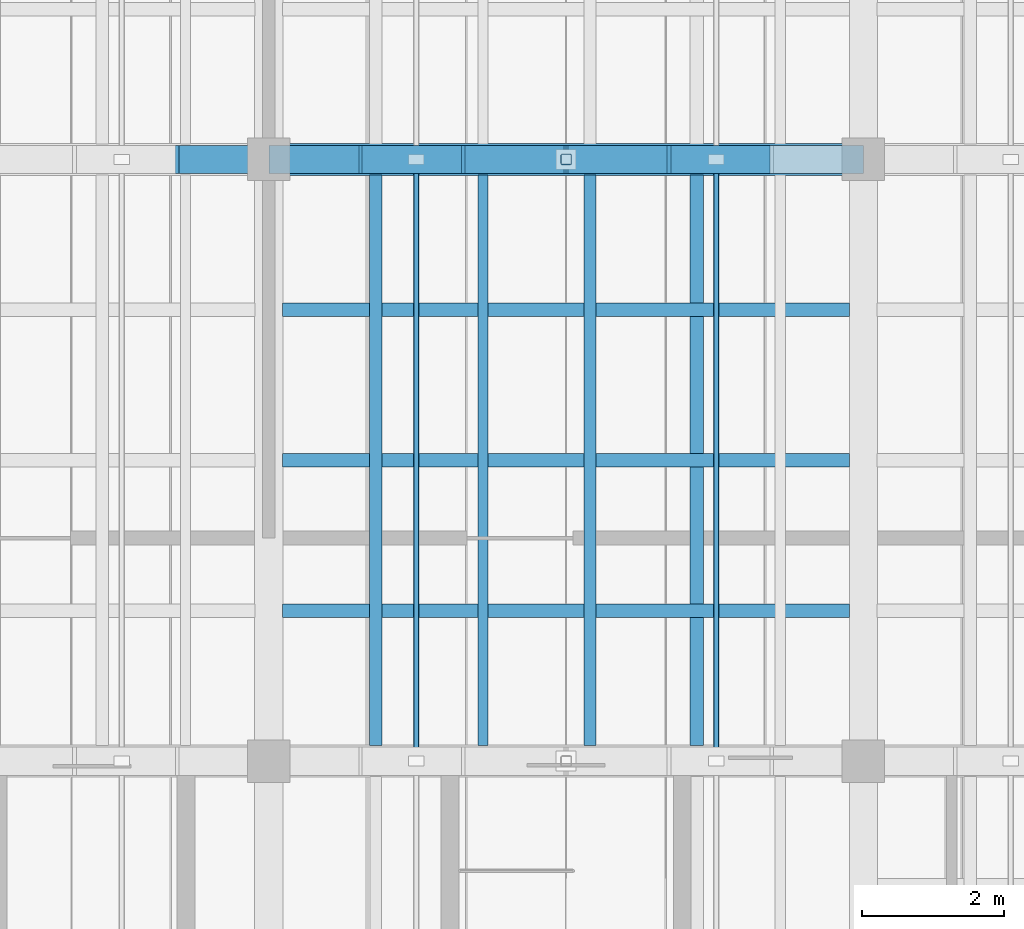
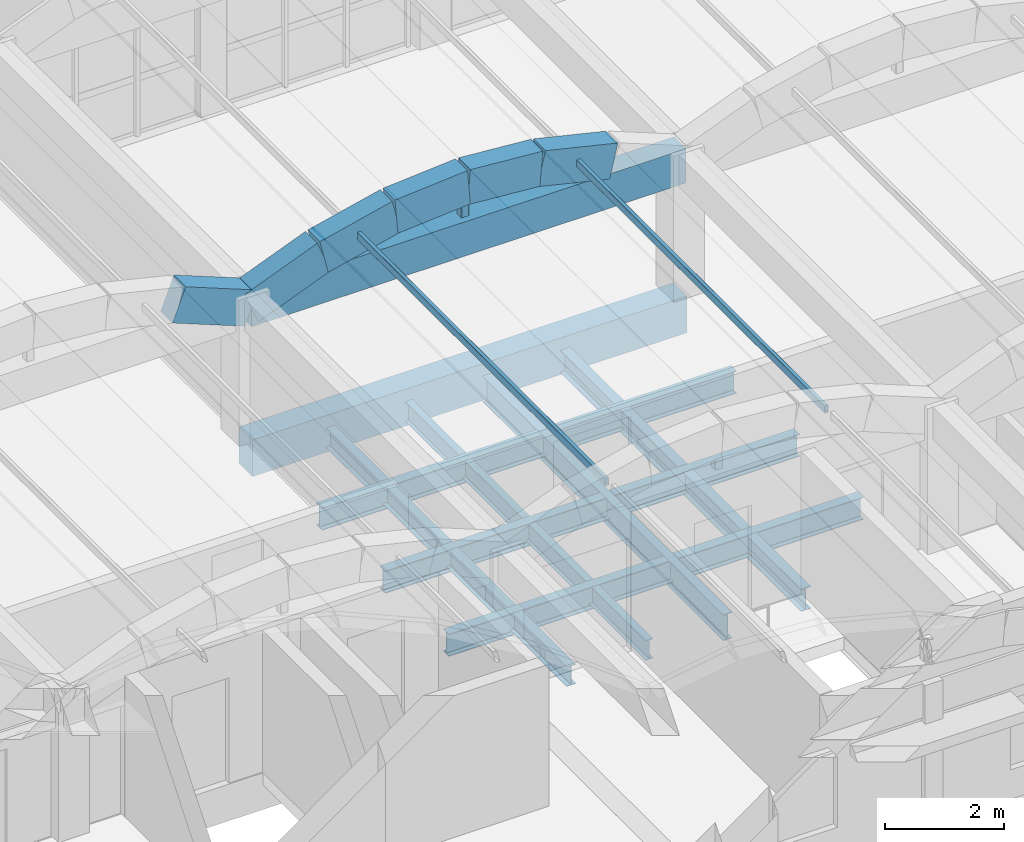
# One storey, part 10 of 40: 9 beams, 9 members.
"""IFC4 building model written with IfcOpenShell, lengths in metres."""

from ifc_helpers import new_model, si_unit, direction, frame, origin, origin_2d, place, context, subcontext, project, spatial, rectangle, hollow_rectangle, i_section, extrude, material, material_profile, profile_set, type_object, element, save


model = new_model("IFC4")

# Units and contexts
model_context = context("Model", 3, precision=1e-05, world=origin(), true_north=direction((0.0, 1.0)))
body_context = subcontext(model_context, "Body", "Model", "MODEL_VIEW")
ifc_project = project(units=[si_unit("LENGTHUNIT", "METRE"), si_unit("AREAUNIT", "SQUARE_METRE"), si_unit("VOLUMEUNIT", "CUBIC_METRE"), si_unit("PLANEANGLEUNIT", "RADIAN"), si_unit("MASSUNIT", "GRAM", prefix="KILO")], contexts=[model_context])

# Site, building, storey
site_placement = place(None, origin())
site = spatial("IfcSite", under=ifc_project, at=site_placement, CompositionType="ELEMENT")
building_placement = place(site_placement, origin())
building = spatial("IfcBuilding", under=site, at=building_placement, Name="Trellovar Central Fire Station", CompositionType="ELEMENT")
storey_placement = place(building_placement, frame((0.0, 0.0, 12.75)))
storey = spatial("IfcBuildingStorey", under=building, at=storey_placement, Name="L04", CompositionType="ELEMENT", Elevation=12.75)

# Beams
ifc_material_1 = material(Name="Concrete C40/50", Category="concrete")
ifc_material_profile_1 = material_profile(ifc_material_1, rectangle(XDim=0.449951171875, YDim=0.75, at=origin_2d()), Name="RC450X750")
ifc_profile_set_1 = profile_set([ifc_material_profile_1], Name="Concrete C40/50")
beam_type_1 = type_object("IfcBeamType", Name="BM-G2", PredefinedType="BEAM", material=ifc_profile_set_1)
beam_1_placement = place(storey_placement, frame((122.300048828125, 24.5, -0.375), z_axis=(1.0, 0.0, 0.0), x_axis=(0.0, 1.0, 0.0)))
element("IfcBeam", 1, at=beam_1_placement, inside=storey, type_object=beam_type_1, Name="L04 beam G-2", PredefinedType="BEAM", context=body_context, shape_type="SweptSolid", body=[
    extrude(rectangle(XDim=0.449951171875, YDim=0.75, at=origin_2d()), origin(), (0.0, 0.0, 1.0), 8.39990234375),
])
ifc_material_2 = material(Name="Concrete C40/50", Category="concrete")
ifc_material_profile_2 = material_profile(ifc_material_2, rectangle(XDim=0.39990234375, YDim=0.699951171875, at=origin_2d()), Name="RC400X700")
ifc_profile_set_2 = profile_set([ifc_material_profile_2], Name="Concrete C40/50")
beam_type_2 = type_object("IfcBeamType", Name="BM-G3", PredefinedType="BEAM", material=ifc_profile_set_2)
beam_2_placement = place(storey_placement, frame((122.300048828125, 24.5, 2.64990234375), z_axis=(1.0, 0.0, 0.0), x_axis=(0.0, 1.0, 0.0)))
element("IfcBeam", 2, at=beam_2_placement, inside=storey, type_object=beam_type_2, Name="L04 beam G-3", PredefinedType="BEAM", context=body_context, shape_type="SweptSolid", body=[
    extrude(rectangle(XDim=0.39990234375, YDim=0.699951171875, at=origin_2d()), origin(), (0.0, 0.0, 1.0), 8.39990234375),
])
ifc_material_3 = material(Name="Steel ASTM A992 Grade 50", Category="steel")
ifc_material_profile_3 = material_profile(ifc_material_3, i_section(OverallWidth=0.177490234375, OverallDepth=0.40380859375, WebThickness=0.007568359375, FlangeThickness=0.010986328125, FilletRadius=0.011474609375, at=origin_2d()), Name="W16X36")
ifc_profile_set_3 = profile_set([ifc_material_profile_3], Name="Steel ASTM A992 Grade 50")
beam_type_3 = type_object("IfcBeamType", Name="BM-SW11", PredefinedType="JOIST", material=ifc_profile_set_3)
beam_3_placement = place(storey_placement, frame((123.81201171875, 16.219970703125, -0.451904296875), z_axis=(0.0, 1.0, 0.0), x_axis=(-1.0, 0.0, 0.0)))
element("IfcBeam", 3, at=beam_3_placement, inside=storey, type_object=beam_type_3, Name="L04 secondary steel deck joist", PredefinedType="JOIST", context=body_context, shape_type="SweptSolid", body=[
    extrude(i_section(OverallWidth=0.177490234375, OverallDepth=0.40380859375, WebThickness=0.007568359375, FlangeThickness=0.010986328125, FilletRadius=0.011474609375, at=origin_2d()), origin(), (0.0, 0.0, 1.0), 8.06005859375),
])
ifc_material_4 = material(Name="Steel ASTM A992 Grade 50", Category="steel")
ifc_material_profile_4 = material_profile(ifc_material_4, i_section(OverallWidth=0.140380859375, OverallDepth=0.4033203125, WebThickness=0.007080078125, FlangeThickness=0.01123046875, FilletRadius=0.011474609375, at=origin_2d()), Name="W16X31")
ifc_profile_set_4 = profile_set([ifc_material_profile_4], Name="Steel ASTM A992 Grade 50")
beam_type_4 = type_object("IfcBeamType", Name="BM-SW12", PredefinedType="JOIST", material=ifc_profile_set_4)
beam_4_placement = place(storey_placement, frame((125.323974609375, 16.219970703125, -0.45166015625), z_axis=(0.0, 1.0, 0.0), x_axis=(-1.0, 0.0, 0.0)))
element("IfcBeam", 4, at=beam_4_placement, inside=storey, type_object=beam_type_4, Name="L04 secondary steel deck joist", PredefinedType="JOIST", context=body_context, shape_type="SweptSolid", body=[
    extrude(i_section(OverallWidth=0.140380859375, OverallDepth=0.4033203125, WebThickness=0.007080078125, FlangeThickness=0.01123046875, FilletRadius=0.011474609375, at=origin_2d()), origin(), (0.0, 0.0, 1.0), 8.06005859375),
])
ifc_material_5 = material(Name="Steel ASTM A992 Grade 50", Category="steel")
ifc_material_profile_5 = material_profile(ifc_material_5, i_section(OverallWidth=0.166015625, OverallDepth=0.529052734375, WebThickness=0.009765625, FlangeThickness=0.013671875, FilletRadius=0.013916015625, at=origin_2d()), Name="W21X50")
ifc_profile_set_5 = profile_set([ifc_material_profile_5], Name="Steel ASTM A992 Grade 50")
beam_type_5 = type_object("IfcBeamType", Name="BM-SW8", PredefinedType="JOIST", material=ifc_profile_set_5)
beam_5_placement = place(storey_placement, frame((126.8359375, 16.219970703125, -0.514404296875), z_axis=(0.0, 1.0, 0.0), x_axis=(-1.0, 0.0, 0.0)))
element("IfcBeam", 5, at=beam_5_placement, inside=storey, type_object=beam_type_5, Name="L04 secondary steel deck joist", PredefinedType="JOIST", context=body_context, shape_type="SweptSolid", body=[
    extrude(i_section(OverallWidth=0.166015625, OverallDepth=0.529052734375, WebThickness=0.009765625, FlangeThickness=0.013671875, FilletRadius=0.013916015625, at=origin_2d()), origin(), (0.0, 0.0, 1.0), 8.06005859375),
])
ifc_material_6 = material(Name="Steel ASTM A992 Grade 50", Category="steel")
ifc_material_profile_6 = material_profile(ifc_material_6, i_section(OverallWidth=0.1904296875, OverallDepth=0.457275390625, WebThickness=0.009033203125, FlangeThickness=0.014404296875, FilletRadius=0.0126953125, at=origin_2d()), Name="W18X50")
ifc_profile_set_6 = profile_set([ifc_material_profile_6], Name="Steel ASTM A992 Grade 50")
beam_type_6 = type_object("IfcBeamType", Name="BM-SW9", PredefinedType="JOIST", material=ifc_profile_set_6)
for number, where, z_axis, x_axis, name in (
    (6, (122.4951171875, 18.125, -0.478515625), (1.0, 0.0, 0.0), (0.0, 1.0, 0.0), "L04 beam SB-9"),
    (7, (122.4951171875, 20.25, -0.478515625), (1.0, 0.0, 0.0), (0.0, 1.0, 0.0), "L04 beam SB-9"),
    (8, (122.4951171875, 22.375, -0.478515625), (1.0, 0.0, 0.0), (0.0, 1.0, 0.0), "L04 beam SB-9"),
):
    element("IfcBeam", number, at=place(storey_placement, frame(where, z_axis=z_axis, x_axis=x_axis)), inside=storey, type_object=beam_type_6, Name=name, PredefinedType="JOIST", context=body_context, shape_type="SweptSolid", body=[
        extrude(i_section(OverallWidth=0.1904296875, OverallDepth=0.457275390625, WebThickness=0.009033203125, FlangeThickness=0.014404296875, FilletRadius=0.0126953125, at=origin_2d()), origin(), (0.0, 0.0, 1.0), 8.009765625),
    ])
beam_6_placement = place(storey_placement, frame((128.347900390625, 16.219970703125, -0.478515625), z_axis=(0.0, 1.0, 0.0), x_axis=(-1.0, 0.0, 0.0)))
element("IfcBeam", 9, at=beam_6_placement, inside=storey, type_object=beam_type_6, Name="L04 secondary steel deck joist", PredefinedType="JOIST", context=body_context, shape_type="SweptSolid", body=[
    extrude(i_section(OverallWidth=0.1904296875, OverallDepth=0.457275390625, WebThickness=0.009033203125, FlangeThickness=0.014404296875, FilletRadius=0.0126953125, at=origin_2d()), origin(), (0.0, 0.0, 1.0), 8.06005859375),
])

# Members
ifc_material_7 = material(Name="Concrete C40/50", Category="concrete")
ifc_material_profile_7 = material_profile(ifc_material_7, rectangle(XDim=0.39990234375, YDim=0.699951171875, at=origin_2d()), Name="RC400X700")
ifc_profile_set_7 = profile_set([ifc_material_profile_7], Name="Concrete C40/50")
member_type_1 = type_object("IfcMemberType", Name="MEM-LR1", PredefinedType="CHORD", material=ifc_profile_set_7)
member_1_placement = place(storey_placement, frame((120.89990234375, 24.5, 3.235595703125), z_axis=(0.929479245072, 0.0, -0.368874413563), x_axis=(0.0, 1.0, 0.0)))
element("IfcMember", 10, at=member_1_placement, inside=storey, type_object=member_type_1, Name="V5 Catalan vault rib 2 chord 6", PredefinedType="CHORD", context=body_context, shape_type="SweptSolid", body=[
    extrude(rectangle(XDim=0.39990234375, YDim=0.699951171875, at=origin_2d()), origin(), (0.0, 0.0, 1.0), 1.50634765625),
])
member_2_placement = place(storey_placement, frame((122.300048828125, 24.5, 2.679931640625), z_axis=(0.929457187308, 0.0, 0.368929989242), x_axis=(0.0, 1.0, 0.0)))
element("IfcMember", 11, at=member_2_placement, inside=storey, type_object=member_type_1, Name="V5 Catalan vault rib 3 chord 1", PredefinedType="CHORD", context=body_context, shape_type="SweptSolid", body=[
    extrude(rectangle(XDim=0.39990234375, YDim=0.699951171875, at=origin_2d()), origin(), (0.0, 0.0, 1.0), 1.506103515625),
])
member_3_placement = place(storey_placement, frame((123.699951171875, 24.5, 3.235595703125), z_axis=(0.972824412258, 0.0, 0.231544084173), x_axis=(0.0, 1.0, 0.0)))
element("IfcMember", 12, at=member_3_placement, inside=storey, type_object=member_type_1, Name="V5 Catalan vault rib 3 chord 2", PredefinedType="CHORD", context=body_context, shape_type="SweptSolid", body=[
    extrude(rectangle(XDim=0.39990234375, YDim=0.699951171875, at=origin_2d()), origin(), (0.0, 0.0, 1.0), 1.439208984375),
])
for number, where, z_axis, x_axis, name in (
    (13, (125.10009765625, 24.5, 3.56884765625), (0.996866480688, 0.0, 0.079102589591), (0.0, 1.0, 0.0), "V5 Catalan vault rib 3 chord 3"),
    (14, (126.5, 24.5, 3.679931640625), (0.996866480688, 0.0, -0.079102589591), (0.0, 1.0, 0.0), "V5 Catalan vault rib 3 chord 4"),
):
    element("IfcMember", number, at=place(storey_placement, frame(where, z_axis=z_axis, x_axis=x_axis)), inside=storey, type_object=member_type_1, Name=name, PredefinedType="CHORD", context=body_context, shape_type="SweptSolid", body=[
        extrude(rectangle(XDim=0.39990234375, YDim=0.699951171875, at=origin_2d()), origin(), (0.0, 0.0, 1.0), 1.404296875),
    ])
member_4_placement = place(storey_placement, frame((127.89990234375, 24.5, 3.56884765625), z_axis=(0.972824412258, 0.0, -0.231544084173), x_axis=(0.0, 1.0, 0.0)))
element("IfcMember", 15, at=member_4_placement, inside=storey, type_object=member_type_1, Name="V5 Catalan vault rib 3 chord 5", PredefinedType="CHORD", context=body_context, shape_type="SweptSolid", body=[
    extrude(rectangle(XDim=0.39990234375, YDim=0.699951171875, at=origin_2d()), origin(), (0.0, 0.0, 1.0), 1.439208984375),
])
ifc_material_8 = material(Name="Steel ASTM A500 Grade C", Category="steel")
ifc_material_profile_8 = material_profile(ifc_material_8, hollow_rectangle(XDim=0.076171875, YDim=0.15234375, WallThickness=0.005859375, InnerFilletRadius=0.005859375, OuterFilletRadius=0.01171875, at=origin_2d()), Name="HSS6X3X1/4")
ifc_profile_set_8 = profile_set([ifc_material_profile_8], Name="Steel ASTM A500 Grade C")
member_type_2 = type_object("IfcMemberType", Name="MEM-PU2", PredefinedType="PURLIN", material=ifc_profile_set_8)
for number, where, z_axis, x_axis, name in (
    (16, (124.38037109375, 16.0, 3.4375), (0.0, 1.0, 0.0), (-1.0, 0.0, 0.0), "V5 vault purlin 3-2"),
    (17, (128.61962890625, 16.0, 3.4375), (0.0, 1.0, 0.0), (-1.0, 0.0, 0.0), "V5 vault purlin 3-5"),
):
    element("IfcMember", number, at=place(storey_placement, frame(where, z_axis=z_axis, x_axis=x_axis)), inside=storey, type_object=member_type_2, Name=name, PredefinedType="PURLIN", context=body_context, shape_type="SweptSolid", body=[
        extrude(hollow_rectangle(XDim=0.076171875, YDim=0.15234375, WallThickness=0.005859375, InnerFilletRadius=0.005859375, OuterFilletRadius=0.01171875, at=origin_2d()), origin(), (0.0, 0.0, 1.0), 8.5),
    ])
ifc_material_9 = material(Name="Steel ASTM A500 Grade C", Category="steel")
ifc_material_profile_9 = material_profile(ifc_material_9, hollow_rectangle(XDim=0.15234375, YDim=0.15234375, WallThickness=0.0087890625, InnerFilletRadius=0.0087890625, OuterFilletRadius=0.017822265625, at=origin_2d()), Name="HSS6X6X3/8")
ifc_profile_set_9 = profile_set([ifc_material_profile_9], Name="Steel ASTM A500 Grade C")
member_type_3 = type_object("IfcMemberType", Name="MEM-ST1", PredefinedType="STRUT", material=ifc_profile_set_9)
member_5_placement = place(storey_placement, frame((126.5, 24.5, 2.699951171875), z_axis=(0.0, 0.0, 1.0), x_axis=(1.0, 0.0, 0.0)))
element("IfcMember", 18, at=member_5_placement, inside=storey, type_object=member_type_3, Name="V5 Catalan vault apex post 3", PredefinedType="STRUT", context=body_context, shape_type="SweptSolid", body=[
    extrude(hollow_rectangle(XDim=0.15234375, YDim=0.15234375, WallThickness=0.0087890625, InnerFilletRadius=0.0087890625, OuterFilletRadius=0.017822265625, at=origin_2d()), origin(), (0.0, 0.0, 1.0), 0.97998046875),
])

save(model, "model.ifc")
